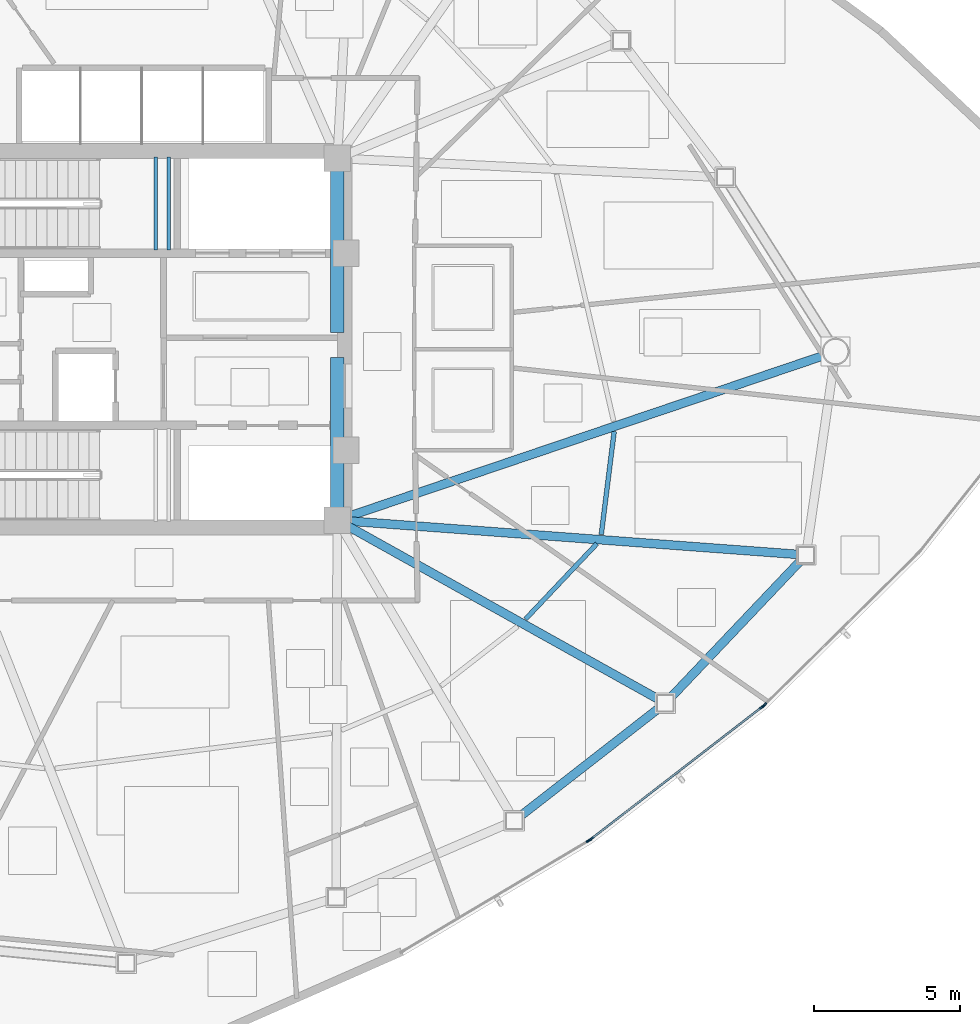
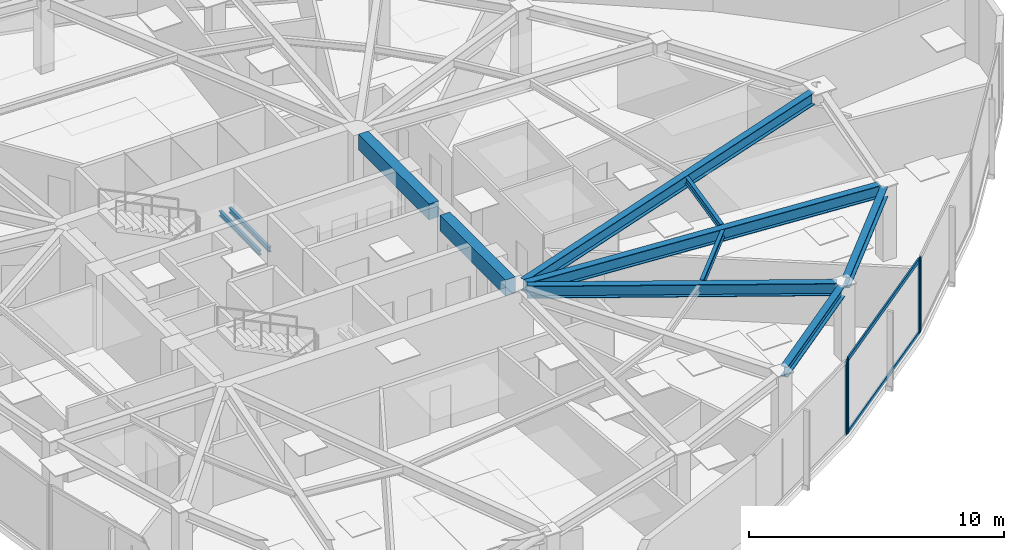
# One storey, part 5 of 18: 11 beams, 6 members, 3 elements without a shape of their own.
"""IFC4 building model written with IfcOpenShell, lengths in metres."""

from ifc_helpers import new_model, si_unit, direction, frame, origin, origin_2d, place, context, subcontext, project, spatial, rectangle, hollow_rectangle, i_section, extrude, source, transform, mapped, material, layer, layer_set, material_profile, profile_set, type_object, type_shapes, element, aggregate, save


model = new_model("IFC4")

# Units and contexts
model_context = context("Model", 3, precision=1e-05, world=origin(), true_north=direction((0.0, 1.0)))
body_context = subcontext(model_context, "Body", "Model", "MODEL_VIEW")
ifc_project = project(units=[si_unit("LENGTHUNIT", "METRE"), si_unit("AREAUNIT", "SQUARE_METRE"), si_unit("VOLUMEUNIT", "CUBIC_METRE"), si_unit("PLANEANGLEUNIT", "RADIAN"), si_unit("MASSUNIT", "GRAM", prefix="KILO")], contexts=[model_context])

# Site, building, storey
site_placement = place(None, origin())
site = spatial("IfcSite", under=ifc_project, at=site_placement, CompositionType="ELEMENT")
building_placement = place(site_placement, origin())
building = spatial("IfcBuilding", under=site, at=building_placement, Name="Tavelor Broadcast Tower", CompositionType="ELEMENT")
storey_placement = place(building_placement, frame((0.0, 0.0, 177.199951171875)))
storey = spatial("IfcBuildingStorey", under=building, at=storey_placement, Name="L42", CompositionType="ELEMENT", Elevation=177.199951171875)

# Beams
ifc_material_1 = material(Name="Concrete C40/50", Category="concrete")
ifc_material_profile_1 = material_profile(ifc_material_1, rectangle(XDim=0.449951171875, YDim=0.75, at=origin_2d()), Name="RC 450x750")
ifc_profile_set_1 = profile_set([ifc_material_profile_1], Name="Concrete C40/50")
beam_type_1 = type_object("IfcBeamType", Name="Basement Core Trim Beam 450x750", PredefinedType="BEAM", material=ifc_profile_set_1)
beam_1_placement = place(storey_placement, frame((56.60009765625, 45.23193359375, 3.175048828125), z_axis=(0.0, 1.0, 0.0), x_axis=(-1.0, 0.0, 0.0)))
element("IfcBeam", 1, at=beam_1_placement, inside=storey, type_object=beam_type_1, Name="L42 Core East-N Tie Girder", PredefinedType="BEAM", context=body_context, shape_type="SweptSolid", body=[
    extrude(rectangle(XDim=0.449951171875, YDim=0.75, at=origin_2d()), origin(), (0.0, 0.0, 1.0), 5.5361328125),
])
beam_2_placement = place(storey_placement, frame((56.60009765625, 39.23193359375, 3.175048828125), z_axis=(0.0, 1.0, 0.0), x_axis=(-1.0, 0.0, 0.0)))
element("IfcBeam", 2, at=beam_2_placement, inside=storey, type_object=beam_type_1, Name="L42 Core East-S Tie Girder", PredefinedType="BEAM", context=body_context, shape_type="SweptSolid", body=[
    extrude(rectangle(XDim=0.449951171875, YDim=0.75, at=origin_2d()), origin(), (0.0, 0.0, 1.0), 5.135986328125),
])
ifc_material_2 = material(Name="Steel S355", Category="steel")
ifc_material_profile_2 = material_profile(ifc_material_2, i_section(OverallWidth=0.159912109375, OverallDepth=0.330078125, WebThickness=0.007568359375, FlangeThickness=0.011474609375, at=origin_2d()), Name="IPE 330")
ifc_profile_set_2 = profile_set([ifc_material_profile_2], Name="Steel S355")
beam_type_2 = type_object("IfcBeamType", Name="Composite Floor Joist T4 IPE 330", PredefinedType="JOIST", material=ifc_profile_set_2)
beam_3_placement = place(storey_placement, frame((63.04541015625, 35.4072265625, 3.385009765625), z_axis=(0.687334543524, 0.726340984166, 0.0), x_axis=(-0.726340984166, 0.687334543524, 0.0)))
element("IfcBeam", 3, at=beam_3_placement, inside=storey, type_object=beam_type_2, Name="L42 Secondary Composite Floor Joist 11", PredefinedType="JOIST", context=body_context, shape_type="SweptSolid", body=[
    extrude(i_section(OverallWidth=0.159912109375, OverallDepth=0.330078125, WebThickness=0.007568359375, FlangeThickness=0.011474609375, at=origin_2d()), origin(), (0.0, 0.0, 1.0), 3.567626953125),
])
beam_4_placement = place(storey_placement, frame((65.64453125, 38.3095703125, 3.385009765625), z_axis=(0.124499310057, 0.992219694319, 0.0), x_axis=(-0.992219694319, 0.124499310057, 0.0)))
element("IfcBeam", 4, at=beam_4_placement, inside=storey, type_object=beam_type_2, Name="L42 Secondary Composite Floor Joist 12", PredefinedType="JOIST", context=body_context, shape_type="SweptSolid", body=[
    extrude(i_section(OverallWidth=0.159912109375, OverallDepth=0.330078125, WebThickness=0.007568359375, FlangeThickness=0.011474609375, at=origin_2d()), origin(), (0.0, 0.0, 1.0), 3.55712890625),
])
ifc_material_profile_3 = material_profile(ifc_material_2, i_section(OverallWidth=0.300048828125, OverallDepth=0.5, WebThickness=0.014404296875, FlangeThickness=0.028076171875, at=origin_2d()), Name="HEB 500")
ifc_profile_set_3 = profile_set([ifc_material_profile_3], Name="Steel S355")
beam_type_3 = type_object("IfcBeamType", Name="Perimeter Spandrel Beam T4 HEB 500", PredefinedType="SPANDREL", material=ifc_profile_set_3)
beam_5_placement = place(storey_placement, frame((62.896484375, 28.68017578125, 3.300048828125), z_axis=(0.788978387361, 0.614420950389, 0.0), x_axis=(-0.614420950389, 0.788978387361, 0.0)))
element("IfcBeam", 5, at=beam_5_placement, inside=storey, type_object=beam_type_3, Name="L42 Framed-Tube Ring Spandrel 10", PredefinedType="SPANDREL", context=body_context, shape_type="SweptSolid", body=[
    extrude(i_section(OverallWidth=0.300048828125, OverallDepth=0.5, WebThickness=0.014404296875, FlangeThickness=0.028076171875, at=origin_2d()), origin(), (0.0, 0.0, 1.0), 5.98046875),
])
beam_6_placement = place(storey_placement, frame((68.04052734375, 32.74072265625, 3.300048828125), z_axis=(0.688387662899, 0.725342970993, 0.0), x_axis=(-0.725342970993, 0.688387662899, 0.0)))
element("IfcBeam", 6, at=beam_6_placement, inside=storey, type_object=beam_type_3, Name="L42 Framed-Tube Ring Spandrel 11", PredefinedType="SPANDREL", context=body_context, shape_type="SweptSolid", body=[
    extrude(i_section(OverallWidth=0.300048828125, OverallDepth=0.5, WebThickness=0.014404296875, FlangeThickness=0.028076171875, at=origin_2d()), origin(), (0.0, 0.0, 1.0), 6.42138671875),
])
ifc_material_profile_4 = material_profile(ifc_material_2, i_section(OverallWidth=0.300048828125, OverallDepth=0.590087890625, WebThickness=0.012939453125, FlangeThickness=0.02490234375, at=origin_2d()), Name="HEA 600")
ifc_profile_set_4 = profile_set([ifc_material_profile_4], Name="Steel S355")
beam_type_4 = type_object("IfcBeamType", Name="Radial Floor Girder T4 HEA 600", PredefinedType="BEAM", material=ifc_profile_set_4)
beam_7_placement = place(storey_placement, frame((56.977294921875, 38.589599609375, 3.255126953125), z_axis=(0.8734199139, -0.486967816187, 0.0), x_axis=(0.486967816187, 0.8734199139, 0.0)))
element("IfcBeam", 7, at=beam_7_placement, inside=storey, type_object=beam_type_4, Name="L42 Radial Primary Floor Girder 11", PredefinedType="BEAM", context=body_context, shape_type="SweptSolid", body=[
    extrude(i_section(OverallWidth=0.300048828125, OverallDepth=0.590087890625, WebThickness=0.012939453125, FlangeThickness=0.02490234375, at=origin_2d()), origin(), (0.0, 0.0, 1.0), 12.151611328125),
])
beam_8_placement = place(storey_placement, frame((57.03076171875, 38.76806640625, 3.255126953125), z_axis=(0.997253315852, -0.074066348787, 0.0), x_axis=(0.074066348787, 0.997253315852, 0.0)))
element("IfcBeam", 8, at=beam_8_placement, inside=storey, type_object=beam_type_4, Name="L42 Radial Primary Floor Girder 12", PredefinedType="BEAM", context=body_context, shape_type="SweptSolid", body=[
    extrude(i_section(OverallWidth=0.300048828125, OverallDepth=0.590087890625, WebThickness=0.012939453125, FlangeThickness=0.02490234375, at=origin_2d()), origin(), (0.0, 0.0, 1.0), 15.383544921875),
])
beam_9_placement = place(storey_placement, frame((57.00927734375, 38.9384765625, 3.255126953125), z_axis=(0.947214639948, 0.320600102727, 0.0), x_axis=(-0.320600102727, 0.947214639948, 0.0)))
element("IfcBeam", 9, at=beam_9_placement, inside=storey, type_object=beam_type_4, Name="L42 Radial Primary Floor Girder 13", PredefinedType="BEAM", context=body_context, shape_type="SweptSolid", body=[
    extrude(i_section(OverallWidth=0.300048828125, OverallDepth=0.590087890625, WebThickness=0.012939453125, FlangeThickness=0.02490234375, at=origin_2d()), origin(), (0.0, 0.0, 1.0), 17.15673828125),
])
ifc_material_profile_5 = material_profile(ifc_material_2, i_section(OverallWidth=0.1201171875, OverallDepth=0.239990234375, WebThickness=0.006103515625, FlangeThickness=0.009765625, at=origin_2d()), Name="IPE 240")
ifc_profile_set_5 = profile_set([ifc_material_profile_5], Name="Steel S355")
beam_type_5 = type_object("IfcBeamType", Name="Stairwell Landing Support Trimmer Beam IPE240", PredefinedType="BEAM", material=ifc_profile_set_5)
for number, where, z_axis, x_axis, name in (
    (10, (50.385009765625, 48.06005859375, 1.610107421875), (0.0, 1.0, 0.0), (-1.0, 0.0, 0.0), "L42 Stair Landing Support Beam 117"),
    (11, (50.824951171875, 48.06005859375, 1.610107421875), (0.0, 1.0, 0.0), (-1.0, 0.0, 0.0), "L42 Stair Landing Support Beam 118"),
):
    element("IfcBeam", number, at=place(storey_placement, frame(where, z_axis=z_axis, x_axis=x_axis)), inside=storey, type_object=beam_type_5, Name=name, PredefinedType="BEAM", context=body_context, shape_type="SweptSolid", body=[
        extrude(i_section(OverallWidth=0.1201171875, OverallDepth=0.239990234375, WebThickness=0.006103515625, FlangeThickness=0.009765625, at=origin_2d()), origin(), (0.0, 0.0, 1.0), 3.179931640625),
    ])

# Curtain wall, member
ifc_material_3 = material(Name="Architectural Anodized Aluminium", Category="aluminium")
ifc_layer = layer(ifc_material_3, 0.18994140625)
ifc_layer_set = layer_set([ifc_layer], Name="Architectural Anodized Aluminium")
curtain_wall_type = type_object("IfcCurtainWallType", Name="Tower Mid-Zone Acoustic Curtain Wall CW03", PredefinedType="NOTDEFINED", material=ifc_layer_set)
curtain_wall_1_placement = place(storey_placement, origin())
curtain_wall_1 = element("IfcCurtainWall", 12, at=curtain_wall_1_placement, inside=storey, type_object=curtain_wall_type, Name="L42 Curtain Wall CW03 Run 449", PredefinedType="NOTDEFINED")
ifc_material_profile_6 = material_profile(ifc_material_3, hollow_rectangle(XDim=0.068115234375, YDim=0.18994140625, WallThickness=0.02197265625, at=origin_2d()), Name="RHS 68x190x22")
ifc_profile_set_6 = profile_set([ifc_material_profile_6], Name="Architectural Anodized Aluminium")
member_type_1 = type_object("IfcMemberType", Name="CW03 Extruded Aluminium Mullion 68x190", PredefinedType="MULLION", material=ifc_profile_set_6)
shared_shape_1 = source(origin(), body_context, "Body", "SweptSolid", [
    extrude(hollow_rectangle(XDim=0.068115234375, YDim=0.18994140625, WallThickness=0.02197265625, at=origin_2d()), origin(), (0.0, 0.0, 1.0), 3.550048828125),
])
type_shapes(member_type_1, [shared_shape_1])
member_1_placement = place(storey_placement, frame((65.21484375, 27.822509765625, 0.0), z_axis=(0.0, 0.0, 1.0), x_axis=(-0.510915685633, 0.859630829004, 0.0)))
member_1 = element("IfcMember", 13, at=member_1_placement, type_object=member_type_1, Name="CW03 mullion 2", PredefinedType="MULLION", context=body_context, shape_type="MappedRepresentation", body=[
    mapped(shared_shape_1, transform((0.0, 0.0, 0.0), scale=1.0)),
])
aggregate(curtain_wall_1, [member_1])

# Curtain wall, members
curtain_wall_2_placement = place(storey_placement, origin())
curtain_wall_2 = element("IfcCurtainWall", 14, at=curtain_wall_2_placement, inside=storey, type_object=curtain_wall_type, Name="L42 Curtain Wall CW03 Run 450", PredefinedType="NOTDEFINED")
member_2_placement = place(storey_placement, frame((65.295654296875, 27.87744140625, 0.0), z_axis=(0.0, 0.0, 1.0), x_axis=(-0.611172923432, 0.791497098961, 0.0)))
member_2 = element("IfcMember", 15, at=member_2_placement, type_object=member_type_1, Name="CW03 mullion 1", PredefinedType="MULLION", context=body_context, shape_type="MappedRepresentation", body=[
    mapped(shared_shape_1, transform((0.0, 0.0, 0.0), scale=1.0)),
])
member_3_placement = place(storey_placement, frame((71.15771484375, 32.404052734375, 0.0), z_axis=(0.0, 0.0, 1.0), x_axis=(-0.611172923432, 0.791497098961, 0.0)))
member_3 = element("IfcMember", 16, at=member_3_placement, type_object=member_type_1, Name="CW03 mullion 2", PredefinedType="MULLION", context=body_context, shape_type="MappedRepresentation", body=[
    mapped(shared_shape_1, transform((0.0, 0.0, 0.0), scale=1.0)),
])

# Curtain wall, member
curtain_wall_3_placement = place(storey_placement, origin())
curtain_wall_3 = element("IfcCurtainWall", 17, at=curtain_wall_3_placement, inside=storey, type_object=curtain_wall_type, Name="L42 Curtain Wall CW03 Run 451", PredefinedType="NOTDEFINED")
member_4_placement = place(storey_placement, frame((71.2314453125, 32.468505859375, 0.0), z_axis=(0.0, 0.0, 1.0), x_axis=(-0.702482749615, 0.711700770333, 0.0)))
member_4 = element("IfcMember", 18, at=member_4_placement, type_object=member_type_1, Name="CW03 mullion 1", PredefinedType="MULLION", context=body_context, shape_type="MappedRepresentation", body=[
    mapped(shared_shape_1, transform((0.0, 0.0, 0.0), scale=1.0)),
])
aggregate(curtain_wall_3, [member_4])

# Member
ifc_material_profile_7 = material_profile(ifc_material_3, hollow_rectangle(XDim=0.068115234375, YDim=0.18994140625, WallThickness=0.02197265625, at=origin_2d()), Name="RHS 68x190x22")
ifc_profile_set_7 = profile_set([ifc_material_profile_7], Name="Architectural Anodized Aluminium")
member_type_2 = type_object("IfcMemberType", Name="CW03 Extruded Aluminium Transom 68x190", PredefinedType="USERDEFINED", material=ifc_profile_set_7)
shared_shape_2 = source(origin(), body_context, "Body", "SweptSolid", [
    extrude(hollow_rectangle(XDim=0.068115234375, YDim=0.18994140625, WallThickness=0.02197265625, at=origin_2d()), origin(), (0.0, 0.0, 1.0), 7.33837890625),
])
type_shapes(member_type_2, [shared_shape_2])
member_5_placement = place(storey_placement, frame((65.322509765625, 27.898193359375, 0.033935546875), z_axis=(0.791493475962, 0.611177615354, 0.0), x_axis=(-0.611177615354, 0.791493475962, 0.0)))
member_5 = element("IfcMember", 19, at=member_5_placement, type_object=member_type_2, Name="CW03 transom 1.1", ObjectType="TRANSOM", PredefinedType="USERDEFINED", context=body_context, shape_type="MappedRepresentation", body=[
    mapped(shared_shape_2, transform((0.0, 0.0, 0.0), scale=1.0)),
])

member_6_placement = place(storey_placement, frame((65.322509765625, 27.898193359375, 3.51611328125), z_axis=(0.791493475962, 0.611177615354, 0.0), x_axis=(-0.611177615354, 0.791493475962, 0.0)))
member_6 = element("IfcMember", 20, at=member_6_placement, type_object=member_type_2, Name="CW03 transom 1.2", ObjectType="TRANSOM", PredefinedType="USERDEFINED", context=body_context, shape_type="MappedRepresentation", body=[
    mapped(shared_shape_2, transform((0.0, 0.0, 0.0), scale=1.0)),
])

aggregate(curtain_wall_2, [member_2, member_3, member_5, member_6])

save(model, "model.ifc")
